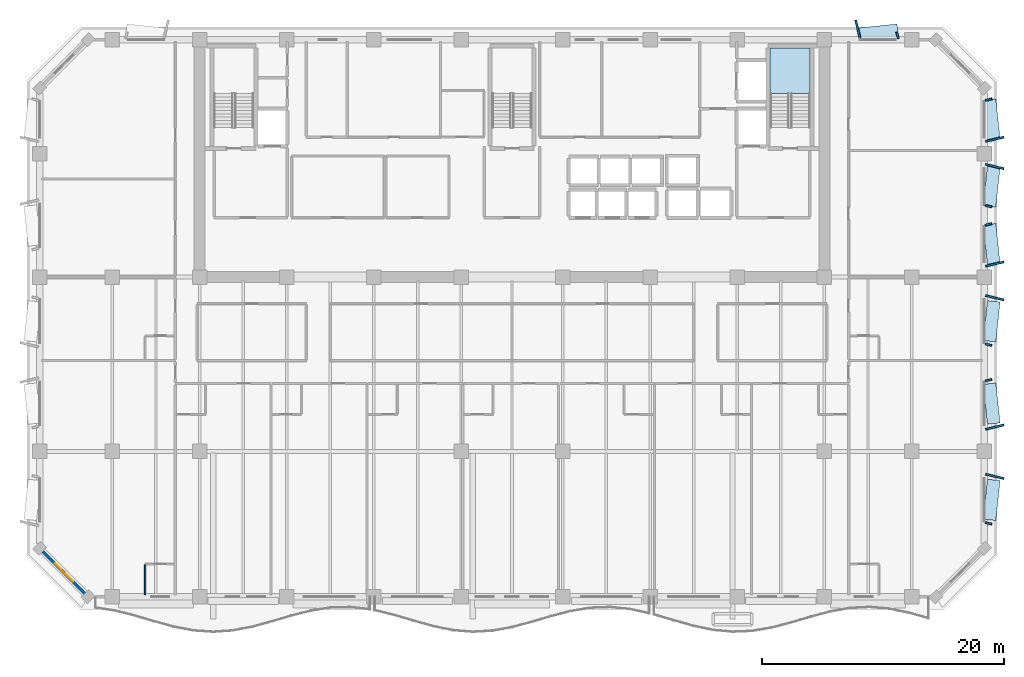
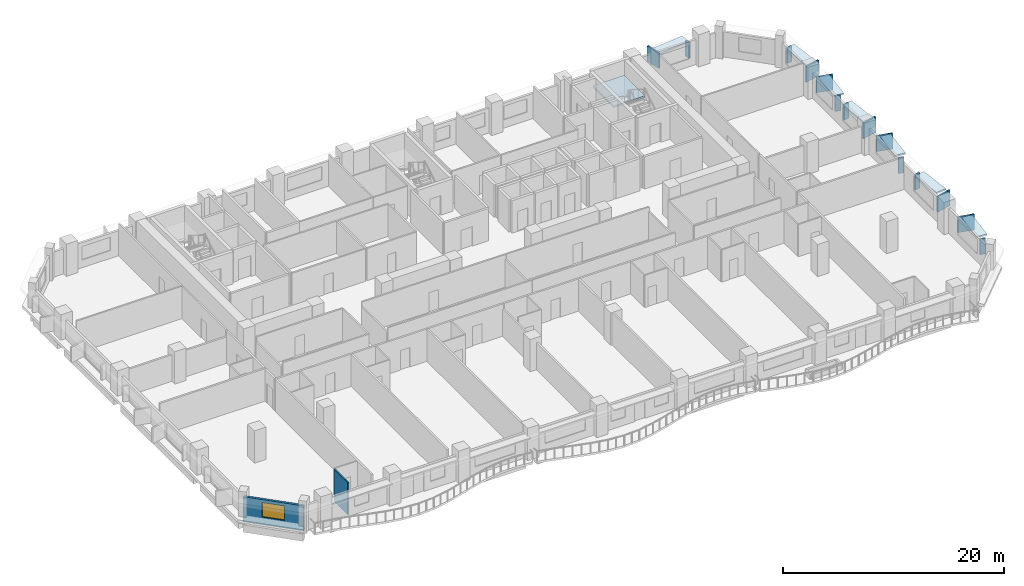
# One storey, part 3 of 15: 21 plates, 2 walls, 1 slab, 1 window, 1 opening, 1 element without a shape of its own.
"""IFC4 building model written with IfcOpenShell, lengths in metres."""

from ifc_helpers import new_model, si_unit, direction, frame, frame_2d, origin, origin_2d, place, context, subcontext, project, spatial, polyline, rectangle, outline, extrude, material, layer, layer_set, type_object, element, fill, aggregate, save


model = new_model("IFC4")

# Units and contexts
model_context = context("Model", 3, precision=1e-05, world=origin(), true_north=direction((0.0, 1.0)))
body_context = subcontext(model_context, "Body", "Model", "MODEL_VIEW")
ifc_project = project(units=[si_unit("LENGTHUNIT", "METRE"), si_unit("AREAUNIT", "SQUARE_METRE"), si_unit("VOLUMEUNIT", "CUBIC_METRE"), si_unit("PLANEANGLEUNIT", "RADIAN"), si_unit("MASSUNIT", "GRAM", prefix="KILO")], contexts=[model_context])

# Site, building, storey
site_placement = place(None, origin())
site = spatial("IfcSite", under=ifc_project, at=site_placement, CompositionType="ELEMENT")
building_placement = place(site_placement, origin())
building = spatial("IfcBuilding", under=site, at=building_placement, Name="Kaelvorn Grand Hotel", CompositionType="ELEMENT")
storey_placement = place(building_placement, frame((0.0, 0.0, 173.35009765625)))
storey = spatial("IfcBuildingStorey", under=building, at=storey_placement, Name="L42", CompositionType="ELEMENT", Elevation=173.35009765625)

# Plates
ifc_material_1 = material(Name="Precast concrete C45/55", Category="concrete")
ifc_layer_1 = layer(ifc_material_1, 0.159912109375)
ifc_layer_set_1 = layer_set([ifc_layer_1], Name="Precast concrete C45/55")
plate_type_1 = type_object("IfcPlateType", Name="PL-FRAME-DEEP-1550", PredefinedType="USERDEFINED", material=ifc_layer_set_1)
for number, where, z_axis, x_axis, name in (
    (1, (81.85498046875, 12.93994140625, 0.81494140625), (0.0, 0.0, 1.0), (0.233445363856, 0.972369920398, 0.0), "L42 Tilted Precast Window Frame Fin R-E01"),
    (2, (81.85498046875, 17.010009765625, 0.81494140625), (0.0, 0.0, 1.0), (-0.233445363856, 0.972369920398, 0.0), "L42 Tilted Precast Window Frame Fin L-E02"),
    (3, (81.85498046875, 27.68994140625, 0.81494140625), (0.0, 0.0, 1.0), (0.233445363856, 0.972369920398, 0.0), "L42 Tilted Precast Window Frame Fin R-E03"),
    (4, (81.85498046875, 30.47509765625, 0.73974609375), (0.0, 0.0, 1.0), (-0.233445363856, 0.972369920398, 0.0), "L42 Tilted Precast Window Frame Fin L-E04"),
    (5, (81.85498046875, 38.52490234375, 0.73974609375), (0.0, 0.0, 1.0), (0.233445363856, 0.972369920398, 0.0), "L42 Tilted Precast Window Frame Fin R-E05"),
    (6, (81.85498046875, 40.77490234375, 0.73974609375), (0.0, 0.0, 1.0), (-0.233445363856, 0.972369920398, 0.0), "L42 Tilted Precast Window Frame Fin L-E06"),
    (7, (70.56005859375, 49.85498046875, 0.73974609375), (0.0, 0.0, 1.0), (0.972369920398, 0.233445363856, 0.0), "L42 Tilted Precast Window Frame Fin L-N02"),
):
    element("IfcPlate", number, at=place(storey_placement, frame(where, z_axis=z_axis, x_axis=x_axis)), inside=storey, type_object=plate_type_1, Name=name, ObjectType="FLANGE_PLATE", PredefinedType="USERDEFINED", context=body_context, shape_type="SweptSolid", body=[
        extrude(rectangle(XDim=0.159912109375, YDim=1.550048828125, at=origin_2d()), origin(), (0.0, 0.0, 1.0), 1.719970703125),
    ])
ifc_layer_2 = layer(ifc_material_1, 0.159912109375)
ifc_layer_set_2 = layer_set([ifc_layer_2], Name="Precast concrete C45/55")
plate_type_2 = type_object("IfcPlateType", Name="PL-FRAME-HEAD-1050", PredefinedType="USERDEFINED", material=ifc_layer_set_2)
for number, where, z_axis, x_axis, name in (
    (8, (81.60498046875, 11.0, 2.5), (0.0, 0.0, 1.0), (0.105830199459, 0.994384215926, 0.0), "L42 Precast Window Frame Head Hood H-E01"),
    (9, (81.60498046875, 18.949951171875, 2.5), (0.0, 0.0, 1.0), (-0.105830199459, 0.994384215926, 0.0), "L42 Precast Window Frame Head Hood H-E02"),
    (10, (81.60498046875, 25.75, 2.5), (0.0, 0.0, 1.0), (0.105830199459, 0.994384215926, 0.0), "L42 Precast Window Frame Head Hood H-E03"),
    (11, (81.60498046875, 32.114990234375, 2.35009765625), (0.0, 0.0, 1.0), (-0.105830199459, 0.994384215926, 0.0), "L42 Precast Window Frame Head Hood H-E04"),
    (12, (81.60498046875, 36.885009765625, 2.35009765625), (0.0, 0.0, 1.0), (0.105830199459, 0.994384215926, 0.0), "L42 Precast Window Frame Head Hood H-E05"),
    (13, (81.60498046875, 42.4150390625, 2.35009765625), (0.0, 0.0, 1.0), (-0.105830199459, 0.994384215926, 0.0), "L42 Precast Window Frame Head Hood H-E06"),
    (14, (72.199951171875, 49.60498046875, 2.35009765625), (0.0, 0.0, 1.0), (0.994384215926, 0.105830199459, 0.0), "L42 Precast Window Frame Head Hood H-N02"),
):
    element("IfcPlate", number, at=place(storey_placement, frame(where, z_axis=z_axis, x_axis=x_axis)), inside=storey, type_object=plate_type_2, Name=name, ObjectType="FLANGE_PLATE", PredefinedType="USERDEFINED", context=body_context, shape_type="SweptSolid", body=[
        extrude(rectangle(XDim=3.320068359375, YDim=1.050048828125, at=origin_2d()), origin(), (0.0, 0.0, 1.0), 0.159912109375),
    ])
ifc_layer_3 = layer(ifc_material_1, 0.159912109375)
ifc_layer_set_3 = layer_set([ifc_layer_3], Name="Precast concrete C45/55")
plate_type_3 = type_object("IfcPlateType", Name="PL-FRAME-SHAL-550", PredefinedType="USERDEFINED", material=ifc_layer_set_3)
for number, where, z_axis, x_axis, name in (
    (15, (81.35498046875, 9.06005859375, 0.81494140625), (0.0, 0.0, 1.0), (0.233445363856, 0.972369920398, 0.0), "L42 Tilted Precast Window Frame Fin L-E01"),
    (16, (81.35498046875, 20.889892578125, 0.81494140625), (0.0, 0.0, 1.0), (-0.233445363856, 0.972369920398, 0.0), "L42 Tilted Precast Window Frame Fin R-E02"),
    (17, (81.35498046875, 23.81005859375, 0.81494140625), (0.0, 0.0, 1.0), (0.233445363856, 0.972369920398, 0.0), "L42 Tilted Precast Window Frame Fin L-E03"),
    (18, (81.35498046875, 33.7548828125, 0.73974609375), (0.0, 0.0, 1.0), (-0.233445363856, 0.972369920398, 0.0), "L42 Tilted Precast Window Frame Fin R-E04"),
    (19, (81.35498046875, 35.2451171875, 0.73974609375), (0.0, 0.0, 1.0), (0.233445363856, 0.972369920398, 0.0), "L42 Tilted Precast Window Frame Fin L-E05"),
    (20, (81.35498046875, 44.054931640625, 0.73974609375), (0.0, 0.0, 1.0), (-0.233445363856, 0.972369920398, 0.0), "L42 Tilted Precast Window Frame Fin R-E06"),
    (21, (73.840087890625, 49.35498046875, 0.73974609375), (0.0, 0.0, 1.0), (0.972369920398, 0.233445363856, 0.0), "L42 Tilted Precast Window Frame Fin R-N02"),
):
    element("IfcPlate", number, at=place(storey_placement, frame(where, z_axis=z_axis, x_axis=x_axis)), inside=storey, type_object=plate_type_3, Name=name, ObjectType="FLANGE_PLATE", PredefinedType="USERDEFINED", context=body_context, shape_type="SweptSolid", body=[
        extrude(rectangle(XDim=0.159912109375, YDim=0.550048828125, at=origin_2d()), origin(), (0.0, 0.0, 1.0), 1.719970703125),
    ])

# Stair, slab
ifc_material_2 = material(Name="Concrete C40/50", Category="concrete")
stair_type = type_object("IfcStairType", Name="STR-DOG-1560-R08", PredefinedType="HALF_TURN_STAIR", material=ifc_material_2)
stair_placement = place(storey_placement, origin())
stair = element("IfcStair", 22, at=stair_placement, inside=storey, type_object=stair_type, Name="L42 East Core Exit Stair ST3", PredefinedType="HALF_TURN_STAIR")
ifc_layer_4 = layer(ifc_material_2, 0.199951171875)
ifc_layer_set_4 = layer_set([ifc_layer_4], Name="Concrete C40/50")
slab_type = type_object("IfcSlabType", Name="SLB-LAND-200-C40", PredefinedType="LANDING", material=ifc_layer_set_4)
slab_placement = place(storey_placement, frame((0.0, 0.0, 1.699951171875)))
slab = element("IfcSlab", 23, at=slab_placement, type_object=slab_type, Name="ST3 landing 1", PredefinedType="LANDING", context=body_context, shape_type="SweptSolid", body=[
    extrude(outline(polyline([(66.60009765625, 44.56005859375), (66.60009765625, 48.300048828125), (63.320068359375, 48.300048828125), (63.320068359375, 44.56005859375), (66.60009765625, 44.56005859375)])), origin(), (0.0, 0.0, 1.0), 0.199951171875),
])
aggregate(stair, [slab])

# Wall, opening, window
ifc_layer_5 = layer(ifc_material_2, 0.239990234375)
ifc_layer_set_5 = layer_set([ifc_layer_5], Name="Concrete C40/50")
wall_type_1 = type_object("IfcWallType", Name="WL-EXT-240-C40", PredefinedType="SOLIDWALL", material=ifc_layer_set_5)
wall_1_placement = place(storey_placement, frame((3.0, 7.0, 0.0), z_axis=(0.0, 0.0, 1.0), x_axis=(0.707106781187, -0.707106781187, 0.0)))
wall_1 = element("IfcWall", 24, at=wall_1_placement, inside=storey, type_object=wall_type_1, Name="L42 Exterior Architectural Concrete Wall 08", PredefinedType="SOLIDWALL", context=body_context, shape_type="SweptSolid", body=[
    extrude(rectangle(XDim=5.65673828125, YDim=0.239990234375, at=frame_2d((2.828369140625, 0.0))), origin(), (0.0, 0.0, 1.0), 2.760009765625),
])
opening_placement = place(wall_1_placement, frame((1.7783203125, 0.0, 0.85009765625)))
opening = element("IfcOpeningElement", 25, at=opening_placement, cuts=wall_1, Name="Opening W7", PredefinedType="OPENING", context=body_context, shape_type="SweptSolid", body=[
    extrude(rectangle(XDim=2.10009765625, YDim=1.60009765625, at=frame_2d((1.050048828125, 0.800048828125))), frame((0.0, 0.1298828125, 0.0), z_axis=(0.0, -1.0, 0.0), x_axis=(1.0, 0.0, 0.0)), (0.0, 0.0, 1.0), 0.260009765625),
])
ifc_material_3 = material(Name="Laminated Low-E Glass", Category="glass")
window_type = type_object("IfcWindowType", Name="WIN-CHM-2100x1600", PartitioningType="SINGLE_PANEL", PredefinedType="WINDOW", material=ifc_material_3)
window_placement = place(opening_placement, origin())
window = element("IfcWindow", 26, at=window_placement, inside=storey, type_object=window_type, Name="L42 Chamfered 45-Degree Corner Window SW", OverallHeight=1.60009765625, OverallWidth=2.10009765625, PartitioningType="SINGLE_PANEL", PredefinedType="WINDOW", context=body_context, shape_type="SweptSolid", body=[
    extrude(rectangle(XDim=2.10009765625, YDim=1.60009765625, at=frame_2d((1.050048828125, 0.800048828125))), frame((0.0, 0.030029296875, 0.0), z_axis=(0.0, -1.0, 0.0), x_axis=(1.0, 0.0, 0.0)), (0.0, 0.0, 1.0), 0.06005859375),
])
fill(opening, window)

# Wall
ifc_material_4 = material(Name="Moisture-Resistant Tile & Stud Board")
ifc_layer_6 = layer(ifc_material_4, 0.125)
ifc_layer_set_6 = layer_set([ifc_layer_6], Name="Moisture-Resistant Tile & Stud Board")
wall_type_2 = type_object("IfcWallType", Name="WL-PART-125-WET", PredefinedType="PARTITIONING", material=ifc_layer_set_6)
wall_2_placement = place(storey_placement, frame((11.699951171875, 3.14990234375, 0.0), z_axis=(0.0, 0.0, 1.0), x_axis=(0.0, 1.0, 0.0)))
element("IfcWall", 27, at=wall_2_placement, inside=storey, type_object=wall_type_2, Name="L42 En-suite Bathroom L42-08 W Partition", PredefinedType="PARTITIONING", context=body_context, shape_type="SweptSolid", body=[
    extrude(rectangle(XDim=2.482666015625, YDim=0.125, at=frame_2d((1.2412109375, 0.0))), origin(), (0.0, 0.0, 1.0), 3.559814453125),
])

save(model, "model.ifc")
